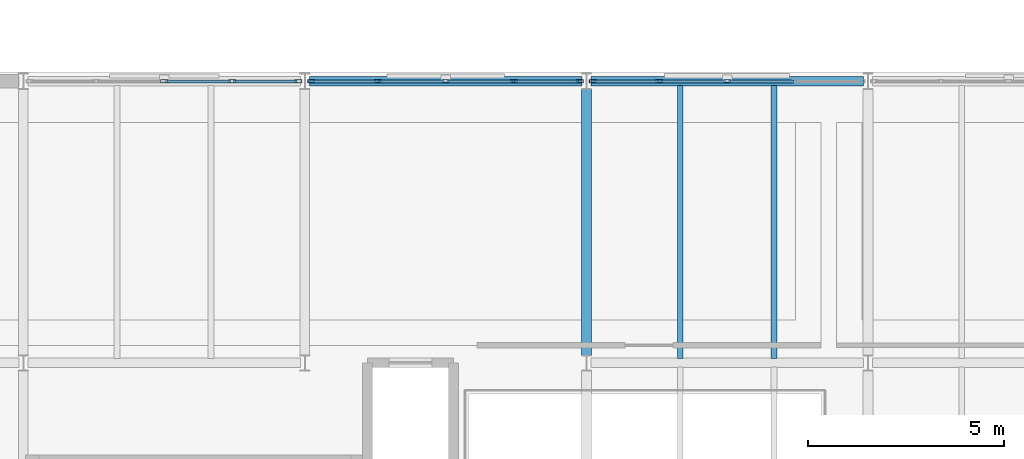
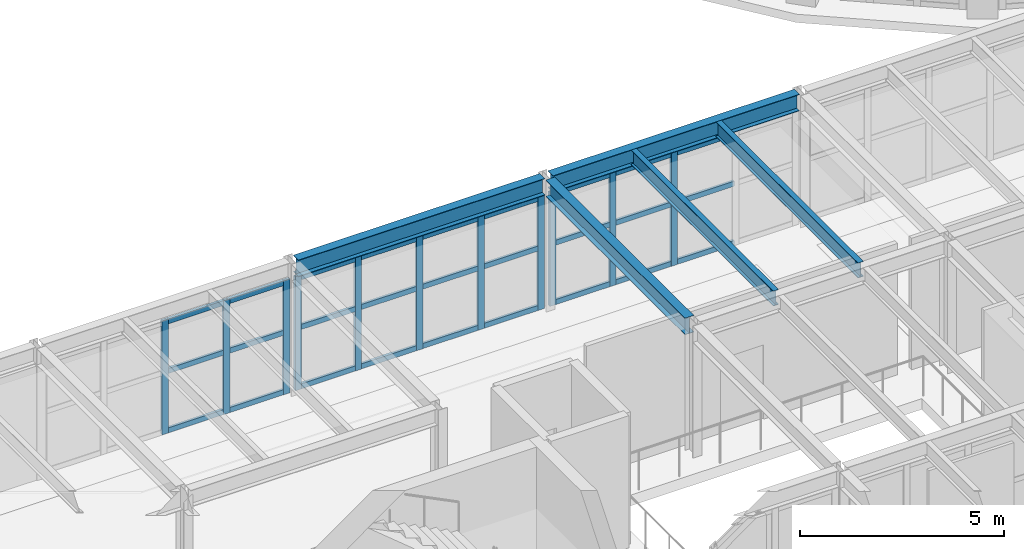
# One storey, part 19 of 59: 38 members, 5 beams, 3 elements without a shape of their own.
"""IFC4 building model written with IfcOpenShell, lengths in metres."""

from ifc_helpers import new_model, si_unit, direction, frame, origin, origin_2d, place, context, subcontext, project, spatial, hollow_rectangle, i_section, extrude, material, layer, layer_set, material_profile, profile_set, type_object, element, aggregate, save


model = new_model("IFC4")

# Units and contexts
model_context = context("Model", 3, precision=1e-05, world=origin(), true_north=direction((0.0, 1.0)))
body_context = subcontext(model_context, "Body", "Model", "MODEL_VIEW")
ifc_project = project(units=[si_unit("LENGTHUNIT", "METRE"), si_unit("AREAUNIT", "SQUARE_METRE"), si_unit("VOLUMEUNIT", "CUBIC_METRE"), si_unit("PLANEANGLEUNIT", "RADIAN"), si_unit("MASSUNIT", "GRAM", prefix="KILO")], contexts=[model_context])

# Site, building, storey
site_placement = place(None, origin())
site = spatial("IfcSite", under=ifc_project, at=site_placement, CompositionType="ELEMENT")
building_placement = place(site_placement, origin())
building = spatial("IfcBuilding", under=site, at=building_placement, Name="Kandorven Conservatory and Botanical Research Centre", CompositionType="ELEMENT")
storey_placement = place(building_placement, frame((0.0, 0.0, 4.800048828125)))
storey = spatial("IfcBuildingStorey", under=building, at=storey_placement, Name="L01", CompositionType="ELEMENT", Elevation=4.800048828125)

# Beams
ifc_material_1 = material(Name="Steel S355 (IS 2062 E350)", Category="steel")
ifc_material_profile_1 = material_profile(ifc_material_1, i_section(OverallWidth=0.25, OverallDepth=0.5, WebThickness=0.010009765625, FlangeThickness=0.0146484375, at=origin_2d()))
ifc_profile_set_1 = profile_set([ifc_material_profile_1], Name="Steel S355 (IS 2062 E350)")
beam_type_1 = type_object("IfcBeamType", Name="Beam_FG-02", PredefinedType="USERDEFINED", material=ifc_profile_set_1)
beam_1_placement = place(storey_placement, frame((56.514892578125, 27.60009765625, 3.699951171875), z_axis=(1.0, 0.0, 0.0), x_axis=(0.0, 1.0, 0.0)))
element("IfcBeam", 1, at=beam_1_placement, inside=storey, type_object=beam_type_1, Name="Primary girder FG-02 VIS L01", ObjectType="GIRDER", PredefinedType="USERDEFINED", context=body_context, shape_type="SweptSolid", body=[
    extrude(i_section(OverallWidth=0.25, OverallDepth=0.5, WebThickness=0.010009765625, FlangeThickness=0.0146484375, at=origin_2d()), origin(), (0.0, 0.0, 1.0), 6.97021484375),
])
beam_2_placement = place(storey_placement, frame((63.715087890625, 27.60009765625, 3.699951171875), z_axis=(1.0, 0.0, 0.0), x_axis=(0.0, 1.0, 0.0)))
element("IfcBeam", 2, at=beam_2_placement, inside=storey, type_object=beam_type_1, Name="Primary girder FG-02 VIS L01", ObjectType="GIRDER", PredefinedType="USERDEFINED", context=body_context, shape_type="SweptSolid", body=[
    extrude(i_section(OverallWidth=0.25, OverallDepth=0.5, WebThickness=0.010009765625, FlangeThickness=0.0146484375, at=origin_2d()), origin(), (0.0, 0.0, 1.0), 6.969970703125),
])
beam_3_placement = place(storey_placement, frame((63.60009765625, 20.590087890625, 3.699951171875), z_axis=(0.0, 1.0, 0.0), x_axis=(-1.0, 0.0, 0.0)))
element("IfcBeam", 3, at=beam_3_placement, inside=storey, type_object=beam_type_1, Name="Primary girder FG-02 VIS L01", ObjectType="GIRDER", PredefinedType="USERDEFINED", context=body_context, shape_type="SweptSolid", body=[
    extrude(i_section(OverallWidth=0.25, OverallDepth=0.5, WebThickness=0.010009765625, FlangeThickness=0.0146484375, at=origin_2d()), origin(), (0.0, 0.0, 1.0), 6.81982421875),
])
ifc_material_2 = material(Name="Steel S355 (IS 2062 E350)", Category="steel")
ifc_material_profile_2 = material_profile(ifc_material_2, i_section(OverallWidth=0.14990234375, OverallDepth=0.449951171875, WebThickness=0.009521484375, FlangeThickness=0.017333984375, at=origin_2d()))
ifc_profile_set_2 = profile_set([ifc_material_profile_2], Name="Steel S355 (IS 2062 E350)")
beam_type_2 = type_object("IfcBeamType", Name="Beam_SB-04", PredefinedType="BEAM", material=ifc_profile_set_2)
for number, where, z_axis, x_axis, name in (
    (4, (66.0, 20.510009765625, 3.724853515625), (0.0, 1.0, 0.0), (-1.0, 0.0, 0.0), "Composite secondary beam SB-04 VIS L01"),
    (5, (68.39990234375, 20.510009765625, 3.724853515625), (0.0, 1.0, 0.0), (-1.0, 0.0, 0.0), "Composite secondary beam SB-04 VIS L01"),
):
    element("IfcBeam", number, at=place(storey_placement, frame(where, z_axis=z_axis, x_axis=x_axis)), inside=storey, type_object=beam_type_2, Name=name, PredefinedType="BEAM", context=body_context, shape_type="SweptSolid", body=[
        extrude(i_section(OverallWidth=0.14990234375, OverallDepth=0.449951171875, WebThickness=0.009521484375, FlangeThickness=0.017333984375, at=origin_2d()), origin(), (0.0, 0.0, 1.0), 6.97998046875),
    ])

# Curtain wall, members
ifc_material_3 = material(Name="Bronze anodised thermally broken aluminium", Category="aluminium")
ifc_layer = layer(ifc_material_3, 0.179931640625)
ifc_layer_set = layer_set([ifc_layer], Name="Bronze anodised thermally broken aluminium")
curtain_wall_type = type_object("IfcCurtainWallType", Name="CW_Unitised", PredefinedType="USERDEFINED", material=ifc_layer_set)
curtain_wall_1_placement = place(storey_placement, origin())
curtain_wall_1 = element("IfcCurtainWall", 6, at=curtain_wall_1_placement, inside=storey, type_object=curtain_wall_type, Name="Visitor wing unitised curtain wall CW-VIS-N-L01-2", ObjectType="UNITISED GLAZING", PredefinedType="USERDEFINED")
ifc_material_4 = material(Name="Bronze anodised thermally broken aluminium", Category="aluminium")
ifc_material_profile_3 = material_profile(ifc_material_4, hollow_rectangle(XDim=0.080078125, YDim=0.179931640625, WallThickness=0.006103515625, at=origin_2d()))
ifc_profile_set_3 = profile_set([ifc_material_profile_3], Name="Bronze anodised thermally broken aluminium")
member_type_1 = type_object("IfcMemberType", Name="CW_Mullion", PredefinedType="MULLION", material=ifc_profile_set_3)
member_1_placement = place(storey_placement, frame((52.800048828125, 27.60009765625, 0.0), z_axis=(0.0, 0.0, 1.0), x_axis=(0.0, 1.0, 0.0)))
member_1 = element("IfcMember", 7, at=member_1_placement, type_object=member_type_1, Name="CW-01 mullion 3", PredefinedType="MULLION", context=body_context, shape_type="SweptSolid", body=[
    extrude(hollow_rectangle(XDim=0.080078125, YDim=0.179931640625, WallThickness=0.006103515625, at=origin_2d()), origin(), (0.0, 0.0, 1.0), 3.409912109375),
])
member_2_placement = place(storey_placement, frame((54.53759765625, 27.60009765625, 0.0), z_axis=(0.0, 0.0, 1.0), x_axis=(0.0, 1.0, 0.0)))
member_2 = element("IfcMember", 8, at=member_2_placement, type_object=member_type_1, Name="CW-01 mullion 4", PredefinedType="MULLION", context=body_context, shape_type="SweptSolid", body=[
    extrude(hollow_rectangle(XDim=0.080078125, YDim=0.179931640625, WallThickness=0.006103515625, at=origin_2d()), origin(), (0.0, 0.0, 1.0), 3.409912109375),
])
member_3_placement = place(storey_placement, frame((56.235107421875, 27.60009765625, 0.0), z_axis=(0.0, 0.0, 1.0), x_axis=(0.0, 1.0, 0.0)))
member_3 = element("IfcMember", 9, at=member_3_placement, type_object=member_type_1, Name="CW-01 mullion 5", PredefinedType="MULLION", context=body_context, shape_type="SweptSolid", body=[
    extrude(hollow_rectangle(XDim=0.080078125, YDim=0.179931640625, WallThickness=0.006103515625, at=origin_2d()), origin(), (0.0, 0.0, 1.0), 3.409912109375),
])

curtain_wall_2_placement = place(storey_placement, origin())
curtain_wall_2 = element("IfcCurtainWall", 10, at=curtain_wall_2_placement, inside=storey, type_object=curtain_wall_type, Name="Visitor wing unitised curtain wall CW-VIS-N-L01-3", ObjectType="UNITISED GLAZING", PredefinedType="USERDEFINED")
member_4_placement = place(storey_placement, frame((56.56494140625, 27.60009765625, 0.0), z_axis=(0.0, 0.0, 1.0), x_axis=(0.0, 1.0, 0.0)))
member_4 = element("IfcMember", 11, at=member_4_placement, type_object=member_type_1, Name="CW-01 mullion 1", PredefinedType="MULLION", context=body_context, shape_type="SweptSolid", body=[
    extrude(hollow_rectangle(XDim=0.080078125, YDim=0.179931640625, WallThickness=0.006103515625, at=origin_2d()), origin(), (0.0, 0.0, 1.0), 3.409912109375),
])
member_5_placement = place(storey_placement, frame((58.262451171875, 27.60009765625, 0.0), z_axis=(0.0, 0.0, 1.0), x_axis=(0.0, 1.0, 0.0)))
member_5 = element("IfcMember", 12, at=member_5_placement, type_object=member_type_1, Name="CW-01 mullion 2", PredefinedType="MULLION", context=body_context, shape_type="SweptSolid", body=[
    extrude(hollow_rectangle(XDim=0.080078125, YDim=0.179931640625, WallThickness=0.006103515625, at=origin_2d()), origin(), (0.0, 0.0, 1.0), 3.409912109375),
])
member_6_placement = place(storey_placement, frame((60.0, 27.60009765625, 0.0), z_axis=(0.0, 0.0, 1.0), x_axis=(0.0, 1.0, 0.0)))
member_6 = element("IfcMember", 13, at=member_6_placement, type_object=member_type_1, Name="CW-01 mullion 3", PredefinedType="MULLION", context=body_context, shape_type="SweptSolid", body=[
    extrude(hollow_rectangle(XDim=0.080078125, YDim=0.179931640625, WallThickness=0.006103515625, at=origin_2d()), origin(), (0.0, 0.0, 1.0), 3.409912109375),
])
member_7_placement = place(storey_placement, frame((61.737548828125, 27.60009765625, 0.0), z_axis=(0.0, 0.0, 1.0), x_axis=(0.0, 1.0, 0.0)))
member_7 = element("IfcMember", 14, at=member_7_placement, type_object=member_type_1, Name="CW-01 mullion 4", PredefinedType="MULLION", context=body_context, shape_type="SweptSolid", body=[
    extrude(hollow_rectangle(XDim=0.080078125, YDim=0.179931640625, WallThickness=0.006103515625, at=origin_2d()), origin(), (0.0, 0.0, 1.0), 3.409912109375),
])
member_8_placement = place(storey_placement, frame((63.43505859375, 27.60009765625, 0.0), z_axis=(0.0, 0.0, 1.0), x_axis=(0.0, 1.0, 0.0)))
member_8 = element("IfcMember", 15, at=member_8_placement, type_object=member_type_1, Name="CW-01 mullion 5", PredefinedType="MULLION", context=body_context, shape_type="SweptSolid", body=[
    extrude(hollow_rectangle(XDim=0.080078125, YDim=0.179931640625, WallThickness=0.006103515625, at=origin_2d()), origin(), (0.0, 0.0, 1.0), 3.409912109375),
])

curtain_wall_3_placement = place(storey_placement, origin())
curtain_wall_3 = element("IfcCurtainWall", 16, at=curtain_wall_3_placement, inside=storey, type_object=curtain_wall_type, Name="Visitor wing unitised curtain wall CW-VIS-N-L01-4", ObjectType="UNITISED GLAZING", PredefinedType="USERDEFINED")
member_9_placement = place(storey_placement, frame((63.764892578125, 27.60009765625, 0.0), z_axis=(0.0, 0.0, 1.0), x_axis=(0.0, 1.0, 0.0)))
member_9 = element("IfcMember", 17, at=member_9_placement, type_object=member_type_1, Name="CW-01 mullion 1", PredefinedType="MULLION", context=body_context, shape_type="SweptSolid", body=[
    extrude(hollow_rectangle(XDim=0.080078125, YDim=0.179931640625, WallThickness=0.006103515625, at=origin_2d()), origin(), (0.0, 0.0, 1.0), 3.409912109375),
])
member_10_placement = place(storey_placement, frame((65.46240234375, 27.60009765625, 0.0), z_axis=(0.0, 0.0, 1.0), x_axis=(0.0, 1.0, 0.0)))
member_10 = element("IfcMember", 18, at=member_10_placement, type_object=member_type_1, Name="CW-01 mullion 2", PredefinedType="MULLION", context=body_context, shape_type="SweptSolid", body=[
    extrude(hollow_rectangle(XDim=0.080078125, YDim=0.179931640625, WallThickness=0.006103515625, at=origin_2d()), origin(), (0.0, 0.0, 1.0), 3.409912109375),
])
member_11_placement = place(storey_placement, frame((67.199951171875, 27.60009765625, 0.0), z_axis=(0.0, 0.0, 1.0), x_axis=(0.0, 1.0, 0.0)))
member_11 = element("IfcMember", 19, at=member_11_placement, type_object=member_type_1, Name="CW-01 mullion 3", PredefinedType="MULLION", context=body_context, shape_type="SweptSolid", body=[
    extrude(hollow_rectangle(XDim=0.080078125, YDim=0.179931640625, WallThickness=0.006103515625, at=origin_2d()), origin(), (0.0, 0.0, 1.0), 3.409912109375),
])

# Member
ifc_material_5 = material(Name="Bronze anodised thermally broken aluminium", Category="aluminium")
ifc_material_profile_4 = material_profile(ifc_material_5, hollow_rectangle(XDim=0.074951171875, YDim=0.14990234375, WallThickness=0.006103515625, at=origin_2d()))
ifc_profile_set_4 = profile_set([ifc_material_profile_4], Name="Bronze anodised thermally broken aluminium")
member_type_2 = type_object("IfcMemberType", Name="CW_Transom", PredefinedType="USERDEFINED", material=ifc_profile_set_4)
member_12_placement = place(storey_placement, frame((52.840087890625, 27.60009765625, 0.074951171875), z_axis=(1.0, 0.0, 0.0), x_axis=(0.0, 1.0, 0.0)))
member_12 = element("IfcMember", 20, at=member_12_placement, type_object=member_type_2, Name="CW-01 transom 3.1", ObjectType="TRANSOM", PredefinedType="USERDEFINED", context=body_context, shape_type="SweptSolid", body=[
    extrude(hollow_rectangle(XDim=0.074951171875, YDim=0.14990234375, WallThickness=0.006103515625, at=origin_2d()), origin(), (0.0, 0.0, 1.0), 1.657470703125),
])

member_13_placement = place(storey_placement, frame((52.840087890625, 27.60009765625, 1.849853515625), z_axis=(1.0, 0.0, 0.0), x_axis=(0.0, 1.0, 0.0)))
member_13 = element("IfcMember", 21, at=member_13_placement, type_object=member_type_2, Name="CW-01 transom 3.2", ObjectType="TRANSOM", PredefinedType="USERDEFINED", context=body_context, shape_type="SweptSolid", body=[
    extrude(hollow_rectangle(XDim=0.074951171875, YDim=0.14990234375, WallThickness=0.006103515625, at=origin_2d()), origin(), (0.0, 0.0, 1.0), 1.657470703125),
])

member_14_placement = place(storey_placement, frame((52.840087890625, 27.60009765625, 3.3349609375), z_axis=(1.0, 0.0, 0.0), x_axis=(0.0, 1.0, 0.0)))
member_14 = element("IfcMember", 22, at=member_14_placement, type_object=member_type_2, Name="CW-01 transom 3.3", ObjectType="TRANSOM", PredefinedType="USERDEFINED", context=body_context, shape_type="SweptSolid", body=[
    extrude(hollow_rectangle(XDim=0.074951171875, YDim=0.14990234375, WallThickness=0.006103515625, at=origin_2d()), origin(), (0.0, 0.0, 1.0), 1.657470703125),
])

member_15_placement = place(storey_placement, frame((54.577392578125, 27.60009765625, 0.074951171875), z_axis=(1.0, 0.0, 0.0), x_axis=(0.0, 1.0, 0.0)))
member_15 = element("IfcMember", 23, at=member_15_placement, type_object=member_type_2, Name="CW-01 transom 4.1", ObjectType="TRANSOM", PredefinedType="USERDEFINED", context=body_context, shape_type="SweptSolid", body=[
    extrude(hollow_rectangle(XDim=0.074951171875, YDim=0.14990234375, WallThickness=0.006103515625, at=origin_2d()), origin(), (0.0, 0.0, 1.0), 1.61767578125),
])

member_16_placement = place(storey_placement, frame((54.577392578125, 27.60009765625, 1.849853515625), z_axis=(1.0, 0.0, 0.0), x_axis=(0.0, 1.0, 0.0)))
member_16 = element("IfcMember", 24, at=member_16_placement, type_object=member_type_2, Name="CW-01 transom 4.2", ObjectType="TRANSOM", PredefinedType="USERDEFINED", context=body_context, shape_type="SweptSolid", body=[
    extrude(hollow_rectangle(XDim=0.074951171875, YDim=0.14990234375, WallThickness=0.006103515625, at=origin_2d()), origin(), (0.0, 0.0, 1.0), 1.61767578125),
])

member_17_placement = place(storey_placement, frame((54.577392578125, 27.60009765625, 3.3349609375), z_axis=(1.0, 0.0, 0.0), x_axis=(0.0, 1.0, 0.0)))
member_17 = element("IfcMember", 25, at=member_17_placement, type_object=member_type_2, Name="CW-01 transom 4.3", ObjectType="TRANSOM", PredefinedType="USERDEFINED", context=body_context, shape_type="SweptSolid", body=[
    extrude(hollow_rectangle(XDim=0.074951171875, YDim=0.14990234375, WallThickness=0.006103515625, at=origin_2d()), origin(), (0.0, 0.0, 1.0), 1.61767578125),
])

aggregate(curtain_wall_1, [member_1, member_2, member_3, member_12, member_13, member_14, member_15, member_16, member_17])

member_18_placement = place(storey_placement, frame((56.60498046875, 27.60009765625, 0.074951171875), z_axis=(1.0, 0.0, 0.0), x_axis=(0.0, 1.0, 0.0)))
member_18 = element("IfcMember", 26, at=member_18_placement, type_object=member_type_2, Name="CW-01 transom 1.1", ObjectType="TRANSOM", PredefinedType="USERDEFINED", context=body_context, shape_type="SweptSolid", body=[
    extrude(hollow_rectangle(XDim=0.074951171875, YDim=0.14990234375, WallThickness=0.006103515625, at=origin_2d()), origin(), (0.0, 0.0, 1.0), 1.617431640625),
])

member_19_placement = place(storey_placement, frame((56.60498046875, 27.60009765625, 1.849853515625), z_axis=(1.0, 0.0, 0.0), x_axis=(0.0, 1.0, 0.0)))
member_19 = element("IfcMember", 27, at=member_19_placement, type_object=member_type_2, Name="CW-01 transom 1.2", ObjectType="TRANSOM", PredefinedType="USERDEFINED", context=body_context, shape_type="SweptSolid", body=[
    extrude(hollow_rectangle(XDim=0.074951171875, YDim=0.14990234375, WallThickness=0.006103515625, at=origin_2d()), origin(), (0.0, 0.0, 1.0), 1.617431640625),
])

member_20_placement = place(storey_placement, frame((56.60498046875, 27.60009765625, 3.3349609375), z_axis=(1.0, 0.0, 0.0), x_axis=(0.0, 1.0, 0.0)))
member_20 = element("IfcMember", 28, at=member_20_placement, type_object=member_type_2, Name="CW-01 transom 1.3", ObjectType="TRANSOM", PredefinedType="USERDEFINED", context=body_context, shape_type="SweptSolid", body=[
    extrude(hollow_rectangle(XDim=0.074951171875, YDim=0.14990234375, WallThickness=0.006103515625, at=origin_2d()), origin(), (0.0, 0.0, 1.0), 1.617431640625),
])

member_21_placement = place(storey_placement, frame((58.302490234375, 27.60009765625, 0.074951171875), z_axis=(1.0, 0.0, 0.0), x_axis=(0.0, 1.0, 0.0)))
member_21 = element("IfcMember", 29, at=member_21_placement, type_object=member_type_2, Name="CW-01 transom 2.1", ObjectType="TRANSOM", PredefinedType="USERDEFINED", context=body_context, shape_type="SweptSolid", body=[
    extrude(hollow_rectangle(XDim=0.074951171875, YDim=0.14990234375, WallThickness=0.006103515625, at=origin_2d()), origin(), (0.0, 0.0, 1.0), 1.657470703125),
])

member_22_placement = place(storey_placement, frame((58.302490234375, 27.60009765625, 1.849853515625), z_axis=(1.0, 0.0, 0.0), x_axis=(0.0, 1.0, 0.0)))
member_22 = element("IfcMember", 30, at=member_22_placement, type_object=member_type_2, Name="CW-01 transom 2.2", ObjectType="TRANSOM", PredefinedType="USERDEFINED", context=body_context, shape_type="SweptSolid", body=[
    extrude(hollow_rectangle(XDim=0.074951171875, YDim=0.14990234375, WallThickness=0.006103515625, at=origin_2d()), origin(), (0.0, 0.0, 1.0), 1.657470703125),
])

member_23_placement = place(storey_placement, frame((58.302490234375, 27.60009765625, 3.3349609375), z_axis=(1.0, 0.0, 0.0), x_axis=(0.0, 1.0, 0.0)))
member_23 = element("IfcMember", 31, at=member_23_placement, type_object=member_type_2, Name="CW-01 transom 2.3", ObjectType="TRANSOM", PredefinedType="USERDEFINED", context=body_context, shape_type="SweptSolid", body=[
    extrude(hollow_rectangle(XDim=0.074951171875, YDim=0.14990234375, WallThickness=0.006103515625, at=origin_2d()), origin(), (0.0, 0.0, 1.0), 1.657470703125),
])

member_24_placement = place(storey_placement, frame((60.0400390625, 27.60009765625, 0.074951171875), z_axis=(1.0, 0.0, 0.0), x_axis=(0.0, 1.0, 0.0)))
member_24 = element("IfcMember", 32, at=member_24_placement, type_object=member_type_2, Name="CW-01 transom 3.1", ObjectType="TRANSOM", PredefinedType="USERDEFINED", context=body_context, shape_type="SweptSolid", body=[
    extrude(hollow_rectangle(XDim=0.074951171875, YDim=0.14990234375, WallThickness=0.006103515625, at=origin_2d()), origin(), (0.0, 0.0, 1.0), 1.657470703125),
])

member_25_placement = place(storey_placement, frame((60.0400390625, 27.60009765625, 1.849853515625), z_axis=(1.0, 0.0, 0.0), x_axis=(0.0, 1.0, 0.0)))
member_25 = element("IfcMember", 33, at=member_25_placement, type_object=member_type_2, Name="CW-01 transom 3.2", ObjectType="TRANSOM", PredefinedType="USERDEFINED", context=body_context, shape_type="SweptSolid", body=[
    extrude(hollow_rectangle(XDim=0.074951171875, YDim=0.14990234375, WallThickness=0.006103515625, at=origin_2d()), origin(), (0.0, 0.0, 1.0), 1.657470703125),
])

member_26_placement = place(storey_placement, frame((60.0400390625, 27.60009765625, 3.3349609375), z_axis=(1.0, 0.0, 0.0), x_axis=(0.0, 1.0, 0.0)))
member_26 = element("IfcMember", 34, at=member_26_placement, type_object=member_type_2, Name="CW-01 transom 3.3", ObjectType="TRANSOM", PredefinedType="USERDEFINED", context=body_context, shape_type="SweptSolid", body=[
    extrude(hollow_rectangle(XDim=0.074951171875, YDim=0.14990234375, WallThickness=0.006103515625, at=origin_2d()), origin(), (0.0, 0.0, 1.0), 1.657470703125),
])

member_27_placement = place(storey_placement, frame((61.777587890625, 27.60009765625, 0.074951171875), z_axis=(1.0, 0.0, 0.0), x_axis=(0.0, 1.0, 0.0)))
member_27 = element("IfcMember", 35, at=member_27_placement, type_object=member_type_2, Name="CW-01 transom 4.1", ObjectType="TRANSOM", PredefinedType="USERDEFINED", context=body_context, shape_type="SweptSolid", body=[
    extrude(hollow_rectangle(XDim=0.074951171875, YDim=0.14990234375, WallThickness=0.006103515625, at=origin_2d()), origin(), (0.0, 0.0, 1.0), 1.617431640625),
])

member_28_placement = place(storey_placement, frame((61.777587890625, 27.60009765625, 1.849853515625), z_axis=(1.0, 0.0, 0.0), x_axis=(0.0, 1.0, 0.0)))
member_28 = element("IfcMember", 36, at=member_28_placement, type_object=member_type_2, Name="CW-01 transom 4.2", ObjectType="TRANSOM", PredefinedType="USERDEFINED", context=body_context, shape_type="SweptSolid", body=[
    extrude(hollow_rectangle(XDim=0.074951171875, YDim=0.14990234375, WallThickness=0.006103515625, at=origin_2d()), origin(), (0.0, 0.0, 1.0), 1.617431640625),
])

member_29_placement = place(storey_placement, frame((61.777587890625, 27.60009765625, 3.3349609375), z_axis=(1.0, 0.0, 0.0), x_axis=(0.0, 1.0, 0.0)))
member_29 = element("IfcMember", 37, at=member_29_placement, type_object=member_type_2, Name="CW-01 transom 4.3", ObjectType="TRANSOM", PredefinedType="USERDEFINED", context=body_context, shape_type="SweptSolid", body=[
    extrude(hollow_rectangle(XDim=0.074951171875, YDim=0.14990234375, WallThickness=0.006103515625, at=origin_2d()), origin(), (0.0, 0.0, 1.0), 1.617431640625),
])

aggregate(curtain_wall_2, [member_4, member_5, member_6, member_7, member_8, member_18, member_19, member_20, member_21, member_22, member_23, member_24, member_25, member_26, member_27, member_28, member_29])

member_30_placement = place(storey_placement, frame((63.804931640625, 27.60009765625, 0.074951171875), z_axis=(1.0, 0.0, 0.0), x_axis=(0.0, 1.0, 0.0)))
member_30 = element("IfcMember", 38, at=member_30_placement, type_object=member_type_2, Name="CW-01 transom 1.1", ObjectType="TRANSOM", PredefinedType="USERDEFINED", context=body_context, shape_type="SweptSolid", body=[
    extrude(hollow_rectangle(XDim=0.074951171875, YDim=0.14990234375, WallThickness=0.006103515625, at=origin_2d()), origin(), (0.0, 0.0, 1.0), 1.61767578125),
])

member_31_placement = place(storey_placement, frame((63.804931640625, 27.60009765625, 1.849853515625), z_axis=(1.0, 0.0, 0.0), x_axis=(0.0, 1.0, 0.0)))
member_31 = element("IfcMember", 39, at=member_31_placement, type_object=member_type_2, Name="CW-01 transom 1.2", ObjectType="TRANSOM", PredefinedType="USERDEFINED", context=body_context, shape_type="SweptSolid", body=[
    extrude(hollow_rectangle(XDim=0.074951171875, YDim=0.14990234375, WallThickness=0.006103515625, at=origin_2d()), origin(), (0.0, 0.0, 1.0), 1.61767578125),
])

member_32_placement = place(storey_placement, frame((63.804931640625, 27.60009765625, 3.3349609375), z_axis=(1.0, 0.0, 0.0), x_axis=(0.0, 1.0, 0.0)))
member_32 = element("IfcMember", 40, at=member_32_placement, type_object=member_type_2, Name="CW-01 transom 1.3", ObjectType="TRANSOM", PredefinedType="USERDEFINED", context=body_context, shape_type="SweptSolid", body=[
    extrude(hollow_rectangle(XDim=0.074951171875, YDim=0.14990234375, WallThickness=0.006103515625, at=origin_2d()), origin(), (0.0, 0.0, 1.0), 1.61767578125),
])

member_33_placement = place(storey_placement, frame((65.50244140625, 27.60009765625, 0.074951171875), z_axis=(1.0, 0.0, 0.0), x_axis=(0.0, 1.0, 0.0)))
member_33 = element("IfcMember", 41, at=member_33_placement, type_object=member_type_2, Name="CW-01 transom 2.1", ObjectType="TRANSOM", PredefinedType="USERDEFINED", context=body_context, shape_type="SweptSolid", body=[
    extrude(hollow_rectangle(XDim=0.074951171875, YDim=0.14990234375, WallThickness=0.006103515625, at=origin_2d()), origin(), (0.0, 0.0, 1.0), 1.657470703125),
])

member_34_placement = place(storey_placement, frame((65.50244140625, 27.60009765625, 1.849853515625), z_axis=(1.0, 0.0, 0.0), x_axis=(0.0, 1.0, 0.0)))
member_34 = element("IfcMember", 42, at=member_34_placement, type_object=member_type_2, Name="CW-01 transom 2.2", ObjectType="TRANSOM", PredefinedType="USERDEFINED", context=body_context, shape_type="SweptSolid", body=[
    extrude(hollow_rectangle(XDim=0.074951171875, YDim=0.14990234375, WallThickness=0.006103515625, at=origin_2d()), origin(), (0.0, 0.0, 1.0), 1.657470703125),
])

member_35_placement = place(storey_placement, frame((65.50244140625, 27.60009765625, 3.3349609375), z_axis=(1.0, 0.0, 0.0), x_axis=(0.0, 1.0, 0.0)))
member_35 = element("IfcMember", 43, at=member_35_placement, type_object=member_type_2, Name="CW-01 transom 2.3", ObjectType="TRANSOM", PredefinedType="USERDEFINED", context=body_context, shape_type="SweptSolid", body=[
    extrude(hollow_rectangle(XDim=0.074951171875, YDim=0.14990234375, WallThickness=0.006103515625, at=origin_2d()), origin(), (0.0, 0.0, 1.0), 1.657470703125),
])

member_36_placement = place(storey_placement, frame((67.239990234375, 27.60009765625, 0.074951171875), z_axis=(1.0, 0.0, 0.0), x_axis=(0.0, 1.0, 0.0)))
member_36 = element("IfcMember", 44, at=member_36_placement, type_object=member_type_2, Name="CW-01 transom 3.1", ObjectType="TRANSOM", PredefinedType="USERDEFINED", context=body_context, shape_type="SweptSolid", body=[
    extrude(hollow_rectangle(XDim=0.074951171875, YDim=0.14990234375, WallThickness=0.006103515625, at=origin_2d()), origin(), (0.0, 0.0, 1.0), 1.657470703125),
])

member_37_placement = place(storey_placement, frame((67.239990234375, 27.60009765625, 1.849853515625), z_axis=(1.0, 0.0, 0.0), x_axis=(0.0, 1.0, 0.0)))
member_37 = element("IfcMember", 45, at=member_37_placement, type_object=member_type_2, Name="CW-01 transom 3.2", ObjectType="TRANSOM", PredefinedType="USERDEFINED", context=body_context, shape_type="SweptSolid", body=[
    extrude(hollow_rectangle(XDim=0.074951171875, YDim=0.14990234375, WallThickness=0.006103515625, at=origin_2d()), origin(), (0.0, 0.0, 1.0), 1.657470703125),
])

member_38_placement = place(storey_placement, frame((67.239990234375, 27.60009765625, 3.3349609375), z_axis=(1.0, 0.0, 0.0), x_axis=(0.0, 1.0, 0.0)))
member_38 = element("IfcMember", 46, at=member_38_placement, type_object=member_type_2, Name="CW-01 transom 3.3", ObjectType="TRANSOM", PredefinedType="USERDEFINED", context=body_context, shape_type="SweptSolid", body=[
    extrude(hollow_rectangle(XDim=0.074951171875, YDim=0.14990234375, WallThickness=0.006103515625, at=origin_2d()), origin(), (0.0, 0.0, 1.0), 1.657470703125),
])

aggregate(curtain_wall_3, [member_9, member_10, member_11, member_30, member_31, member_32, member_33, member_34, member_35, member_36, member_37, member_38])

save(model, "model.ifc")
